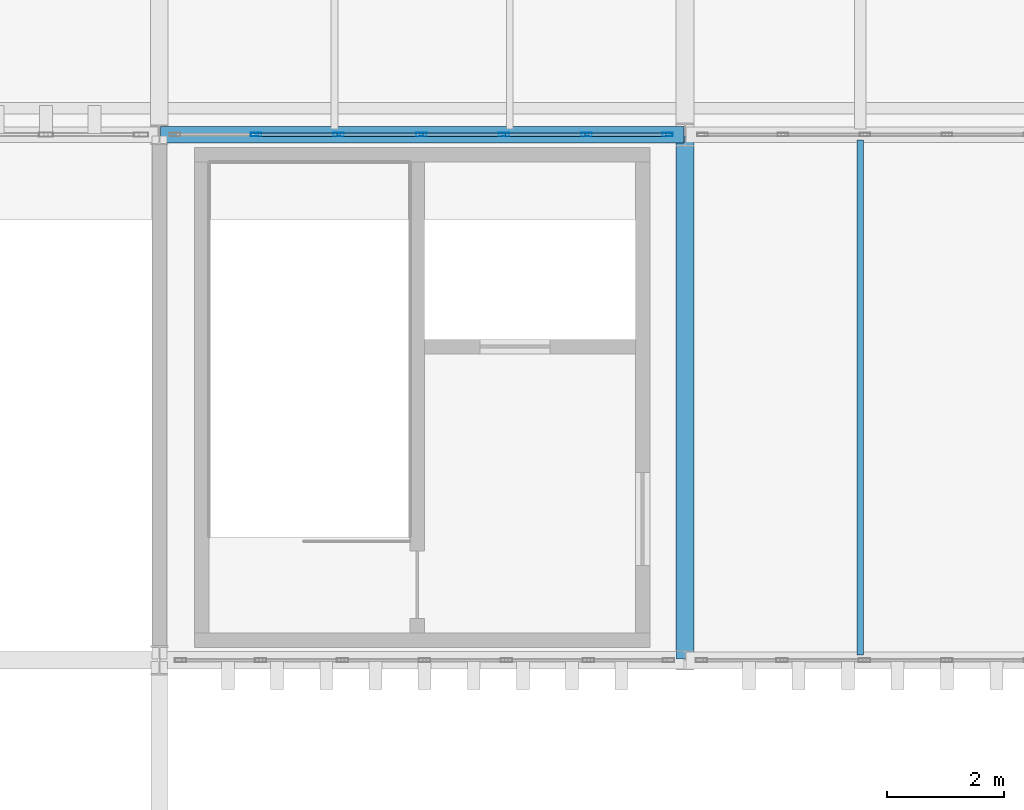
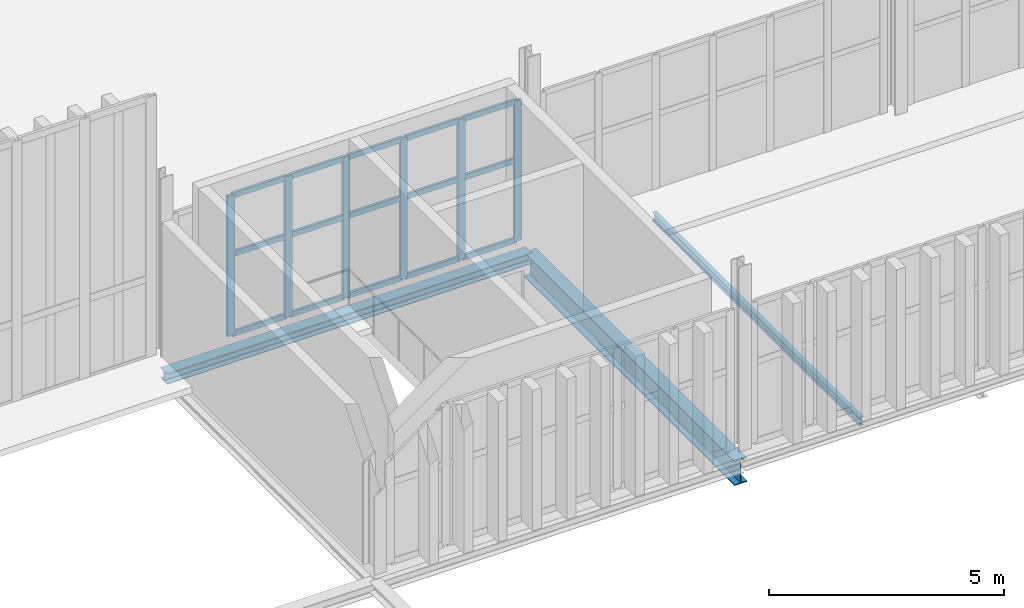
# One storey, part 31 of 196: 21 members, 3 beams, 1 element without a shape of its own.
"""IFC4 building model written with IfcOpenShell, lengths in metres."""

from ifc_helpers import new_model, si_unit, direction, frame, origin, origin_2d, place, context, subcontext, project, spatial, hollow_rectangle, i_section, extrude, material, layer, layer_set, material_profile, profile_set, type_object, element, aggregate, save


model = new_model("IFC4")

# Units and contexts
model_context = context("Model", 3, precision=1e-05, world=origin(), true_north=direction((0.0, 1.0)))
body_context = subcontext(model_context, "Body", "Model", "MODEL_VIEW")
ifc_project = project(units=[si_unit("LENGTHUNIT", "METRE"), si_unit("AREAUNIT", "SQUARE_METRE"), si_unit("VOLUMEUNIT", "CUBIC_METRE"), si_unit("PLANEANGLEUNIT", "RADIAN"), si_unit("MASSUNIT", "GRAM", prefix="KILO")], contexts=[model_context])

# Site, building, storey
site_placement = place(None, origin())
site = spatial("IfcSite", under=ifc_project, at=site_placement, CompositionType="ELEMENT")
building_placement = place(site_placement, origin())
building = spatial("IfcBuilding", under=site, at=building_placement, Name="Barlavento Convention Centre", CompositionType="ELEMENT")
storey_placement = place(building_placement, frame((0.0, 0.0, 18.0)))
storey = spatial("IfcBuildingStorey", under=building, at=storey_placement, Name="L03", CompositionType="ELEMENT", Elevation=18.0)

# Curtain wall, members
ifc_material_1 = material(Name="Powder-coated aluminium and Low-E glass", Category="aluminium")
ifc_layer = layer(ifc_material_1, 0.179931640625)
ifc_layer_set = layer_set([ifc_layer], Name="ARC-CW-CONF-L03")
curtain_wall_type = type_object("IfcCurtainWallType", Name="ARC-CW-CONF-L03", PredefinedType="NOTDEFINED", material=ifc_layer_set)
curtain_wall_placement = place(storey_placement, origin())
curtain_wall = element("IfcCurtainWall", 1, at=curtain_wall_placement, inside=storey, type_object=curtain_wall_type, Name="L03 unitised curtain wall CW08", PredefinedType="NOTDEFINED")
ifc_material_2 = material(Name="Powder-coated aluminium", Category="aluminium")
ifc_material_profile_1 = material_profile(ifc_material_2, hollow_rectangle(XDim=0.06005859375, YDim=0.179931640625, WallThickness=0.0048828125, at=origin_2d()), Name="AL-MULL 60x180x5")
ifc_profile_set_1 = profile_set([ifc_material_profile_1], Name="Powder-coated aluminium")
member_type_1 = type_object("IfcMemberType", Name="ARC-CWM-60X180", PredefinedType="MULLION", material=ifc_profile_set_1)
member_1_placement = place(storey_placement, frame((64.655029296875, 54.0, 0.0), z_axis=(0.0, 0.0, 1.0), x_axis=(0.0, 1.0, 0.0)))
member_1 = element("IfcMember", 2, at=member_1_placement, type_object=member_type_1, Name="CW08 mullion 2", PredefinedType="MULLION", context=body_context, shape_type="SweptSolid", body=[
    extrude(hollow_rectangle(XDim=0.06005859375, YDim=0.179931640625, WallThickness=0.0048828125, at=origin_2d()), origin(), (0.0, 0.0, 1.0), 3.64990234375),
])
member_2_placement = place(storey_placement, frame((66.070068359375, 54.0, 0.0), z_axis=(0.0, 0.0, 1.0), x_axis=(0.0, 1.0, 0.0)))
member_2 = element("IfcMember", 3, at=member_2_placement, type_object=member_type_1, Name="CW08 mullion 3", PredefinedType="MULLION", context=body_context, shape_type="SweptSolid", body=[
    extrude(hollow_rectangle(XDim=0.06005859375, YDim=0.179931640625, WallThickness=0.0048828125, at=origin_2d()), origin(), (0.0, 0.0, 1.0), 3.64990234375),
])
member_3_placement = place(storey_placement, frame((67.485107421875, 54.0, 0.0), z_axis=(0.0, 0.0, 1.0), x_axis=(0.0, 1.0, 0.0)))
member_3 = element("IfcMember", 4, at=member_3_placement, type_object=member_type_1, Name="CW08 mullion 4", PredefinedType="MULLION", context=body_context, shape_type="SweptSolid", body=[
    extrude(hollow_rectangle(XDim=0.06005859375, YDim=0.179931640625, WallThickness=0.0048828125, at=origin_2d()), origin(), (0.0, 0.0, 1.0), 3.64990234375),
])
member_4_placement = place(storey_placement, frame((68.89990234375, 54.0, 0.0), z_axis=(0.0, 0.0, 1.0), x_axis=(0.0, 1.0, 0.0)))
member_4 = element("IfcMember", 5, at=member_4_placement, type_object=member_type_1, Name="CW08 mullion 5", PredefinedType="MULLION", context=body_context, shape_type="SweptSolid", body=[
    extrude(hollow_rectangle(XDim=0.06005859375, YDim=0.179931640625, WallThickness=0.0048828125, at=origin_2d()), origin(), (0.0, 0.0, 1.0), 3.64990234375),
])
member_5_placement = place(storey_placement, frame((70.31494140625, 54.0, 0.0), z_axis=(0.0, 0.0, 1.0), x_axis=(0.0, 1.0, 0.0)))
member_5 = element("IfcMember", 6, at=member_5_placement, type_object=member_type_1, Name="CW08 mullion 6", PredefinedType="MULLION", context=body_context, shape_type="SweptSolid", body=[
    extrude(hollow_rectangle(XDim=0.06005859375, YDim=0.179931640625, WallThickness=0.0048828125, at=origin_2d()), origin(), (0.0, 0.0, 1.0), 3.64990234375),
])
member_6_placement = place(storey_placement, frame((71.699951171875, 54.0, 0.0), z_axis=(0.0, 0.0, 1.0), x_axis=(0.0, 1.0, 0.0)))
member_6 = element("IfcMember", 7, at=member_6_placement, type_object=member_type_1, Name="CW08 mullion 7", PredefinedType="MULLION", context=body_context, shape_type="SweptSolid", body=[
    extrude(hollow_rectangle(XDim=0.06005859375, YDim=0.179931640625, WallThickness=0.0048828125, at=origin_2d()), origin(), (0.0, 0.0, 1.0), 3.64990234375),
])
ifc_material_profile_2 = material_profile(ifc_material_2, hollow_rectangle(XDim=0.06005859375, YDim=0.139892578125, WallThickness=0.00390625, at=origin_2d()), Name="AL-TRAN 60x140x4")
ifc_profile_set_2 = profile_set([ifc_material_profile_2], Name="Powder-coated aluminium")
member_type_2 = type_object("IfcMemberType", Name="ARC-CWT-60X140", PredefinedType="USERDEFINED", material=ifc_profile_set_2)
member_7_placement = place(storey_placement, frame((64.68505859375, 54.0, 0.030029296875), z_axis=(1.0, 0.0, 0.0), x_axis=(0.0, 1.0, 0.0)))
member_7 = element("IfcMember", 8, at=member_7_placement, type_object=member_type_2, Name="CW08 transom 2.1", ObjectType="TRANSOM", PredefinedType="USERDEFINED", context=body_context, shape_type="SweptSolid", body=[
    extrude(hollow_rectangle(XDim=0.06005859375, YDim=0.139892578125, WallThickness=0.00390625, at=origin_2d()), origin(), (0.0, 0.0, 1.0), 1.35498046875),
])
member_8_placement = place(storey_placement, frame((64.68505859375, 54.0, 2.10009765625), z_axis=(1.0, 0.0, 0.0), x_axis=(0.0, 1.0, 0.0)))
member_8 = element("IfcMember", 9, at=member_8_placement, type_object=member_type_2, Name="CW08 transom 2.2", ObjectType="TRANSOM", PredefinedType="USERDEFINED", context=body_context, shape_type="SweptSolid", body=[
    extrude(hollow_rectangle(XDim=0.06005859375, YDim=0.139892578125, WallThickness=0.00390625, at=origin_2d()), origin(), (0.0, 0.0, 1.0), 1.35498046875),
])
member_9_placement = place(storey_placement, frame((64.68505859375, 54.0, 3.6201171875), z_axis=(1.0, 0.0, 0.0), x_axis=(0.0, 1.0, 0.0)))
member_9 = element("IfcMember", 10, at=member_9_placement, type_object=member_type_2, Name="CW08 transom 2.3", ObjectType="TRANSOM", PredefinedType="USERDEFINED", context=body_context, shape_type="SweptSolid", body=[
    extrude(hollow_rectangle(XDim=0.06005859375, YDim=0.139892578125, WallThickness=0.00390625, at=origin_2d()), origin(), (0.0, 0.0, 1.0), 1.35498046875),
])
member_10_placement = place(storey_placement, frame((66.10009765625, 54.0, 0.030029296875), z_axis=(1.0, 0.0, 0.0), x_axis=(0.0, 1.0, 0.0)))
member_10 = element("IfcMember", 11, at=member_10_placement, type_object=member_type_2, Name="CW08 transom 3.1", ObjectType="TRANSOM", PredefinedType="USERDEFINED", context=body_context, shape_type="SweptSolid", body=[
    extrude(hollow_rectangle(XDim=0.06005859375, YDim=0.139892578125, WallThickness=0.00390625, at=origin_2d()), origin(), (0.0, 0.0, 1.0), 1.35498046875),
])
member_11_placement = place(storey_placement, frame((66.10009765625, 54.0, 2.10009765625), z_axis=(1.0, 0.0, 0.0), x_axis=(0.0, 1.0, 0.0)))
member_11 = element("IfcMember", 12, at=member_11_placement, type_object=member_type_2, Name="CW08 transom 3.2", ObjectType="TRANSOM", PredefinedType="USERDEFINED", context=body_context, shape_type="SweptSolid", body=[
    extrude(hollow_rectangle(XDim=0.06005859375, YDim=0.139892578125, WallThickness=0.00390625, at=origin_2d()), origin(), (0.0, 0.0, 1.0), 1.35498046875),
])
member_12_placement = place(storey_placement, frame((66.10009765625, 54.0, 3.6201171875), z_axis=(1.0, 0.0, 0.0), x_axis=(0.0, 1.0, 0.0)))
member_12 = element("IfcMember", 13, at=member_12_placement, type_object=member_type_2, Name="CW08 transom 3.3", ObjectType="TRANSOM", PredefinedType="USERDEFINED", context=body_context, shape_type="SweptSolid", body=[
    extrude(hollow_rectangle(XDim=0.06005859375, YDim=0.139892578125, WallThickness=0.00390625, at=origin_2d()), origin(), (0.0, 0.0, 1.0), 1.35498046875),
])
member_13_placement = place(storey_placement, frame((67.514892578125, 54.0, 0.030029296875), z_axis=(1.0, 0.0, 0.0), x_axis=(0.0, 1.0, 0.0)))
member_13 = element("IfcMember", 14, at=member_13_placement, type_object=member_type_2, Name="CW08 transom 4.1", ObjectType="TRANSOM", PredefinedType="USERDEFINED", context=body_context, shape_type="SweptSolid", body=[
    extrude(hollow_rectangle(XDim=0.06005859375, YDim=0.139892578125, WallThickness=0.00390625, at=origin_2d()), origin(), (0.0, 0.0, 1.0), 1.355224609375),
])
member_14_placement = place(storey_placement, frame((67.514892578125, 54.0, 2.10009765625), z_axis=(1.0, 0.0, 0.0), x_axis=(0.0, 1.0, 0.0)))
member_14 = element("IfcMember", 15, at=member_14_placement, type_object=member_type_2, Name="CW08 transom 4.2", ObjectType="TRANSOM", PredefinedType="USERDEFINED", context=body_context, shape_type="SweptSolid", body=[
    extrude(hollow_rectangle(XDim=0.06005859375, YDim=0.139892578125, WallThickness=0.00390625, at=origin_2d()), origin(), (0.0, 0.0, 1.0), 1.355224609375),
])
member_15_placement = place(storey_placement, frame((67.514892578125, 54.0, 3.6201171875), z_axis=(1.0, 0.0, 0.0), x_axis=(0.0, 1.0, 0.0)))
member_15 = element("IfcMember", 16, at=member_15_placement, type_object=member_type_2, Name="CW08 transom 4.3", ObjectType="TRANSOM", PredefinedType="USERDEFINED", context=body_context, shape_type="SweptSolid", body=[
    extrude(hollow_rectangle(XDim=0.06005859375, YDim=0.139892578125, WallThickness=0.00390625, at=origin_2d()), origin(), (0.0, 0.0, 1.0), 1.355224609375),
])
member_16_placement = place(storey_placement, frame((68.929931640625, 54.0, 0.030029296875), z_axis=(1.0, 0.0, 0.0), x_axis=(0.0, 1.0, 0.0)))
member_16 = element("IfcMember", 17, at=member_16_placement, type_object=member_type_2, Name="CW08 transom 5.1", ObjectType="TRANSOM", PredefinedType="USERDEFINED", context=body_context, shape_type="SweptSolid", body=[
    extrude(hollow_rectangle(XDim=0.06005859375, YDim=0.139892578125, WallThickness=0.00390625, at=origin_2d()), origin(), (0.0, 0.0, 1.0), 1.35498046875),
])
member_17_placement = place(storey_placement, frame((68.929931640625, 54.0, 2.10009765625), z_axis=(1.0, 0.0, 0.0), x_axis=(0.0, 1.0, 0.0)))
member_17 = element("IfcMember", 18, at=member_17_placement, type_object=member_type_2, Name="CW08 transom 5.2", ObjectType="TRANSOM", PredefinedType="USERDEFINED", context=body_context, shape_type="SweptSolid", body=[
    extrude(hollow_rectangle(XDim=0.06005859375, YDim=0.139892578125, WallThickness=0.00390625, at=origin_2d()), origin(), (0.0, 0.0, 1.0), 1.35498046875),
])
member_18_placement = place(storey_placement, frame((68.929931640625, 54.0, 3.6201171875), z_axis=(1.0, 0.0, 0.0), x_axis=(0.0, 1.0, 0.0)))
member_18 = element("IfcMember", 19, at=member_18_placement, type_object=member_type_2, Name="CW08 transom 5.3", ObjectType="TRANSOM", PredefinedType="USERDEFINED", context=body_context, shape_type="SweptSolid", body=[
    extrude(hollow_rectangle(XDim=0.06005859375, YDim=0.139892578125, WallThickness=0.00390625, at=origin_2d()), origin(), (0.0, 0.0, 1.0), 1.35498046875),
])
member_19_placement = place(storey_placement, frame((70.344970703125, 54.0, 0.030029296875), z_axis=(1.0, 0.0, 0.0), x_axis=(0.0, 1.0, 0.0)))
member_19 = element("IfcMember", 20, at=member_19_placement, type_object=member_type_2, Name="CW08 transom 6.1", ObjectType="TRANSOM", PredefinedType="USERDEFINED", context=body_context, shape_type="SweptSolid", body=[
    extrude(hollow_rectangle(XDim=0.06005859375, YDim=0.139892578125, WallThickness=0.00390625, at=origin_2d()), origin(), (0.0, 0.0, 1.0), 1.324951171875),
])
member_20_placement = place(storey_placement, frame((70.344970703125, 54.0, 2.10009765625), z_axis=(1.0, 0.0, 0.0), x_axis=(0.0, 1.0, 0.0)))
member_20 = element("IfcMember", 21, at=member_20_placement, type_object=member_type_2, Name="CW08 transom 6.2", ObjectType="TRANSOM", PredefinedType="USERDEFINED", context=body_context, shape_type="SweptSolid", body=[
    extrude(hollow_rectangle(XDim=0.06005859375, YDim=0.139892578125, WallThickness=0.00390625, at=origin_2d()), origin(), (0.0, 0.0, 1.0), 1.324951171875),
])
member_21_placement = place(storey_placement, frame((70.344970703125, 54.0, 3.6201171875), z_axis=(1.0, 0.0, 0.0), x_axis=(0.0, 1.0, 0.0)))
member_21 = element("IfcMember", 22, at=member_21_placement, type_object=member_type_2, Name="CW08 transom 6.3", ObjectType="TRANSOM", PredefinedType="USERDEFINED", context=body_context, shape_type="SweptSolid", body=[
    extrude(hollow_rectangle(XDim=0.06005859375, YDim=0.139892578125, WallThickness=0.00390625, at=origin_2d()), origin(), (0.0, 0.0, 1.0), 1.324951171875),
])
aggregate(curtain_wall, [member_1, member_2, member_3, member_4, member_5, member_6, member_7, member_8, member_9, member_10, member_11, member_12, member_13, member_14, member_15, member_16, member_17, member_18, member_19, member_20, member_21])

# Beams
ifc_material_3 = material(Name="Steel S355", Category="steel")
ifc_material_profile_3 = material_profile(ifc_material_3, i_section(OverallWidth=0.110107421875, OverallDepth=0.219970703125, WebThickness=0.005859375, FlangeThickness=0.00927734375, FilletRadius=0.011962890625, at=origin_2d()), Name="IPE 220")
ifc_profile_set_3 = profile_set([ifc_material_profile_3], Name="Steel S355")
beam_type_1 = type_object("IfcBeamType", Name="STR-BM-JST-IPE220", PredefinedType="JOIST", material=ifc_profile_set_3)
beam_1_placement = place(storey_placement, frame((75.0, 45.094970703125, -0.455078125), z_axis=(0.0, 1.0, 0.0), x_axis=(-1.0, 0.0, 0.0)))
element("IfcBeam", 23, at=beam_1_placement, inside=storey, type_object=beam_type_1, Name="L03 composite floor joist SJ10", PredefinedType="JOIST", context=body_context, shape_type="SweptSolid", body=[
    extrude(i_section(OverallWidth=0.110107421875, OverallDepth=0.219970703125, WebThickness=0.005859375, FlangeThickness=0.00927734375, FilletRadius=0.011962890625, at=origin_2d()), origin(), (0.0, 0.0, 1.0), 8.81005859375),
])
ifc_material_profile_4 = material_profile(ifc_material_3, i_section(OverallWidth=0.300048828125, OverallDepth=0.639892578125, WebThickness=0.013427734375, FlangeThickness=0.02587890625, FilletRadius=0.027099609375, at=origin_2d()), Name="HEA 650")
ifc_profile_set_4 = profile_set([ifc_material_profile_4], Name="Steel S355")
beam_type_2 = type_object("IfcBeamType", Name="STR-BM-PRI-HEA650", PredefinedType="BEAM", material=ifc_profile_set_4)
beam_2_placement = place(storey_placement, frame((72.0, 45.02001953125, -0.6650390625), z_axis=(0.0, 1.0, 0.0), x_axis=(-1.0, 0.0, 0.0)))
element("IfcBeam", 24, at=beam_2_placement, inside=storey, type_object=beam_type_2, Name="L03 grid girder BG17", PredefinedType="BEAM", context=body_context, shape_type="SweptSolid", body=[
    extrude(i_section(OverallWidth=0.300048828125, OverallDepth=0.639892578125, WebThickness=0.013427734375, FlangeThickness=0.02587890625, FilletRadius=0.027099609375, at=origin_2d()), origin(), (0.0, 0.0, 1.0), 8.9599609375),
])
ifc_material_profile_5 = material_profile(ifc_material_3, i_section(OverallWidth=0.280029296875, OverallDepth=0.280029296875, WebThickness=0.010498046875, FlangeThickness=0.01806640625, FilletRadius=0.02392578125, at=origin_2d()), Name="HEB 280")
ifc_profile_set_5 = profile_set([ifc_material_profile_5], Name="Steel S355")
beam_type_3 = type_object("IfcBeamType", Name="STR-BM-PRI-HEB280", PredefinedType="BEAM", material=ifc_profile_set_5)
beam_3_placement = place(storey_placement, frame((63.02001953125, 54.0, -0.485107421875), z_axis=(1.0, 0.0, 0.0), x_axis=(0.0, 1.0, 0.0)))
element("IfcBeam", 25, at=beam_3_placement, inside=storey, type_object=beam_type_3, Name="L03 primary girder BG15", PredefinedType="BEAM", context=body_context, shape_type="SweptSolid", body=[
    extrude(i_section(OverallWidth=0.280029296875, OverallDepth=0.280029296875, WebThickness=0.010498046875, FlangeThickness=0.01806640625, FilletRadius=0.02392578125, at=origin_2d()), origin(), (0.0, 0.0, 1.0), 8.9599609375),
])

save(model, "model.ifc")
